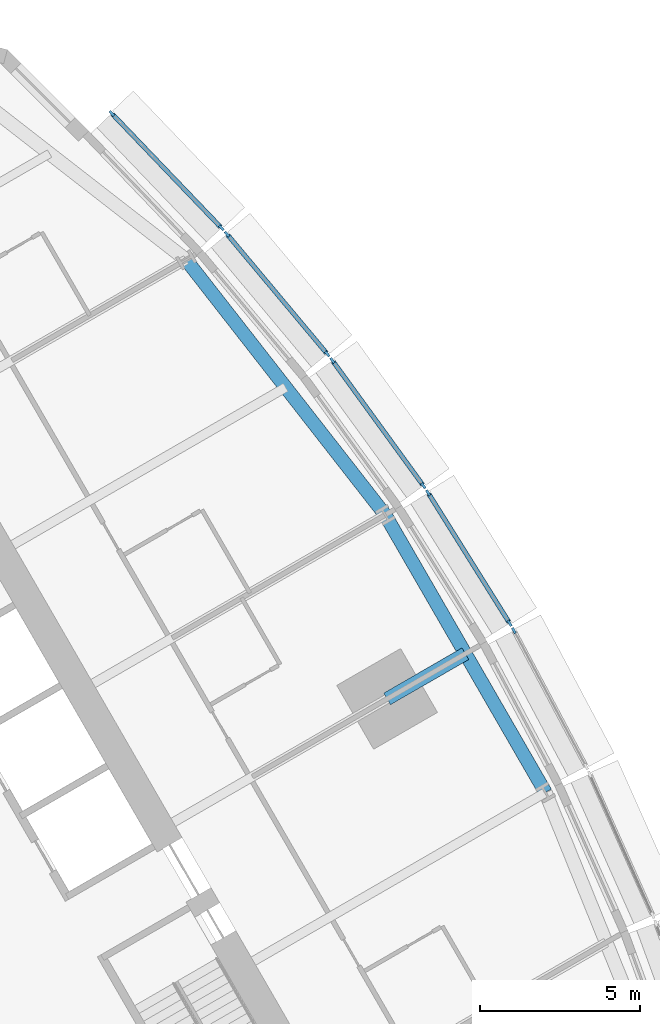
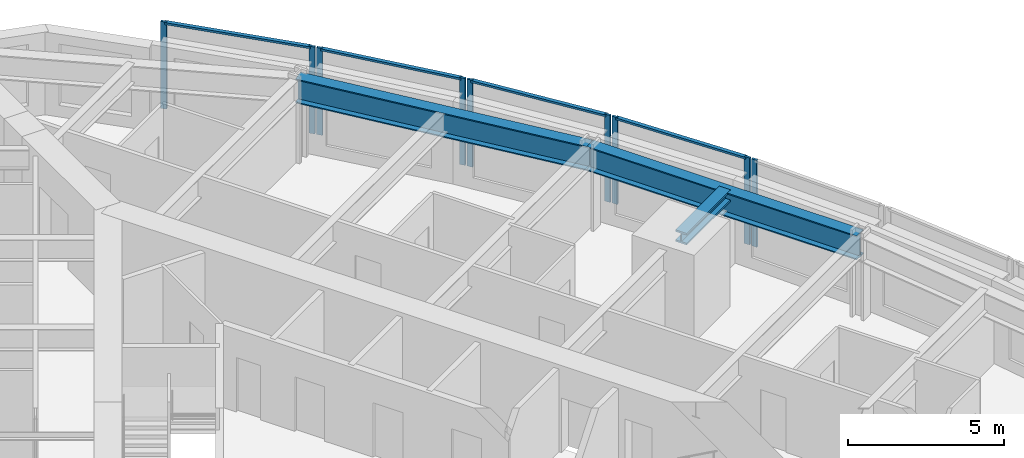
# One storey, part 5 of 14: 13 members, 3 beams, 5 elements without a shape of their own.
"""IFC4 building model written with IfcOpenShell, lengths in metres."""

from ifc_helpers import new_model, si_unit, direction, frame, origin, origin_2d, place, context, subcontext, project, spatial, rectangle, i_section, extrude, material, material_profile, profile_set, type_object, element, aggregate, save


model = new_model("IFC4")

# Units and contexts
model_context = context("Model", 3, precision=1e-05, world=origin(), true_north=direction((0.0, 1.0)))
body_context = subcontext(model_context, "Body", "Model", "MODEL_VIEW")
ifc_project = project(units=[si_unit("LENGTHUNIT", "METRE"), si_unit("AREAUNIT", "SQUARE_METRE"), si_unit("VOLUMEUNIT", "CUBIC_METRE"), si_unit("PLANEANGLEUNIT", "RADIAN"), si_unit("MASSUNIT", "GRAM", prefix="KILO")], contexts=[model_context])

# Site, building, storey
site_placement = place(None, origin())
site = spatial("IfcSite", under=ifc_project, at=site_placement, CompositionType="ELEMENT")
building_placement = place(site_placement, origin())
building = spatial("IfcBuilding", under=site, at=building_placement, Name="Trikona Tower", CompositionType="ELEMENT")
storey_placement = place(building_placement, frame((0.0, 0.0, 131.699951171875)))
storey = spatial("IfcBuildingStorey", under=building, at=storey_placement, Name="L34", CompositionType="ELEMENT", Elevation=131.699951171875)

# Curtain wall, member
ifc_material_1 = material(Name="Aluminium curtain wall system", Category="aluminium")
curtain_wall_type = type_object("IfcCurtainWallType", Name="Curtain wall DS2", PredefinedType="NOTDEFINED", material=ifc_material_1)
curtain_wall_1_placement = place(storey_placement, origin())
curtain_wall_1 = element("IfcCurtainWall", 1, at=curtain_wall_1_placement, inside=storey, type_object=curtain_wall_type, Name="Curtain wall DS2 L34", PredefinedType="NOTDEFINED")
ifc_material_2 = material(Name="Aluminium mullion, pale anodised", Category="aluminium")
ifc_material_profile_1 = material_profile(ifc_material_2, rectangle(XDim=0.080078125, YDim=0.199951171875, at=origin_2d()), Name="MUL-DS2")
ifc_profile_set_1 = profile_set([ifc_material_profile_1], Name="Aluminium mullion, pale anodised")
member_type_1 = type_object("IfcMemberType", Name="Mullion DS2 80x200", PredefinedType="MULLION", material=ifc_profile_set_1)
member_1_placement = place(storey_placement, frame((19.2666015625, 10.9716796875, 0.0), z_axis=(0.0, 0.0, 1.0), x_axis=(-0.882996107343, -0.469380308937, 0.0)))
member_1 = element("IfcMember", 2, at=member_1_placement, type_object=member_type_1, Name="CW-DS2 mullion 2", PredefinedType="MULLION", context=body_context, shape_type="SweptSolid", body=[
    extrude(rectangle(XDim=0.080078125, YDim=0.199951171875, at=origin_2d()), origin(), (0.0, 0.0, 1.0), 3.400146484375),
])
aggregate(curtain_wall_1, [member_1])

# Curtain wall, members
curtain_wall_2_placement = place(storey_placement, origin())
curtain_wall_2 = element("IfcCurtainWall", 3, at=curtain_wall_2_placement, inside=storey, type_object=curtain_wall_type, Name="Curtain wall DS2 L34", PredefinedType="NOTDEFINED")
member_2_placement = place(storey_placement, frame((19.135009765625, 11.199462890625, 0.0), z_axis=(0.0, 0.0, 1.0), x_axis=(-0.847998304006, -0.529998940002, 0.0)))
member_2 = element("IfcMember", 4, at=member_2_placement, type_object=member_type_1, Name="CW-DS2 mullion 1", PredefinedType="MULLION", context=body_context, shape_type="SweptSolid", body=[
    extrude(rectangle(XDim=0.080078125, YDim=0.199951171875, at=origin_2d()), origin(), (0.0, 0.0, 1.0), 3.400146484375),
])
member_3_placement = place(storey_placement, frame((16.589599609375, 15.2724609375, 0.0), z_axis=(0.0, 0.0, 1.0), x_axis=(-0.847998304006, -0.529998940002, 0.0)))
member_3 = element("IfcMember", 5, at=member_3_placement, type_object=member_type_1, Name="CW-DS2 mullion 2", PredefinedType="MULLION", context=body_context, shape_type="SweptSolid", body=[
    extrude(rectangle(XDim=0.080078125, YDim=0.199951171875, at=origin_2d()), origin(), (0.0, 0.0, 1.0), 3.400146484375),
])

curtain_wall_3_placement = place(storey_placement, origin())
curtain_wall_3 = element("IfcCurtainWall", 6, at=curtain_wall_3_placement, inside=storey, type_object=curtain_wall_type, Name="Curtain wall DS2 L34", PredefinedType="NOTDEFINED")
member_4_placement = place(storey_placement, frame((16.442626953125, 15.489990234375, 0.0), z_axis=(0.0, 0.0, 1.0), x_axis=(-0.80908576332, -0.587690588313, 0.0)))
member_4 = element("IfcMember", 7, at=member_4_placement, type_object=member_type_1, Name="CW-DS2 mullion 1", PredefinedType="MULLION", context=body_context, shape_type="SweptSolid", body=[
    extrude(rectangle(XDim=0.080078125, YDim=0.199951171875, at=origin_2d()), origin(), (0.0, 0.0, 1.0), 3.400146484375),
])
member_5_placement = place(storey_placement, frame((13.605712890625, 19.39599609375, 0.0), z_axis=(0.0, 0.0, 1.0), x_axis=(-0.80908576332, -0.587690588313, 0.0)))
member_5 = element("IfcMember", 8, at=member_5_placement, type_object=member_type_1, Name="CW-DS2 mullion 2", PredefinedType="MULLION", context=body_context, shape_type="SweptSolid", body=[
    extrude(rectangle(XDim=0.080078125, YDim=0.199951171875, at=origin_2d()), origin(), (0.0, 0.0, 1.0), 3.400146484375),
])

curtain_wall_4_placement = place(storey_placement, origin())
curtain_wall_4 = element("IfcCurtainWall", 9, at=curtain_wall_4_placement, inside=storey, type_object=curtain_wall_type, Name="Curtain wall DS2 L34", PredefinedType="NOTDEFINED")
member_6_placement = place(storey_placement, frame((13.44482421875, 19.602294921875, 0.0), z_axis=(0.0, 0.0, 1.0), x_axis=(-0.766866678271, -0.641806433248, 0.0)))
member_6 = element("IfcMember", 10, at=member_6_placement, type_object=member_type_1, Name="CW-DS2 mullion 1", PredefinedType="MULLION", context=body_context, shape_type="SweptSolid", body=[
    extrude(rectangle(XDim=0.080078125, YDim=0.199951171875, at=origin_2d()), origin(), (0.0, 0.0, 1.0), 3.400146484375),
])
member_7_placement = place(storey_placement, frame((10.315185546875, 23.34130859375, 0.0), z_axis=(0.0, 0.0, 1.0), x_axis=(-0.766866678271, -0.641806433248, 0.0)))
member_7 = element("IfcMember", 11, at=member_7_placement, type_object=member_type_1, Name="CW-DS2 mullion 2", PredefinedType="MULLION", context=body_context, shape_type="SweptSolid", body=[
    extrude(rectangle(XDim=0.080078125, YDim=0.199951171875, at=origin_2d()), origin(), (0.0, 0.0, 1.0), 3.400146484375),
])

curtain_wall_5_placement = place(storey_placement, origin())
curtain_wall_5 = element("IfcCurtainWall", 12, at=curtain_wall_5_placement, inside=storey, type_object=curtain_wall_type, Name="Curtain wall DS2 L34", PredefinedType="NOTDEFINED")
member_8_placement = place(storey_placement, frame((10.1416015625, 23.535400390625, 0.0), z_axis=(0.0, 0.0, 1.0), x_axis=(-0.722158330767, -0.691727797117, 0.0)))
member_8 = element("IfcMember", 13, at=member_8_placement, type_object=member_type_1, Name="CW-DS2 mullion 1", PredefinedType="MULLION", context=body_context, shape_type="SweptSolid", body=[
    extrude(rectangle(XDim=0.080078125, YDim=0.199951171875, at=origin_2d()), origin(), (0.0, 0.0, 1.0), 3.400146484375),
])
member_9_placement = place(storey_placement, frame((6.718994140625, 27.1083984375, 0.0), z_axis=(0.0, 0.0, 1.0), x_axis=(-0.722158330767, -0.691727797117, 0.0)))
member_9 = element("IfcMember", 14, at=member_9_placement, type_object=member_type_1, Name="CW-DS2 mullion 2", PredefinedType="MULLION", context=body_context, shape_type="SweptSolid", body=[
    extrude(rectangle(XDim=0.080078125, YDim=0.199951171875, at=origin_2d()), origin(), (0.0, 0.0, 1.0), 3.400146484375),
])

# Beams
ifc_material_3 = material(Name="Steel ASTM A992 Grade 50", Category="steel")
ifc_material_profile_2 = material_profile(ifc_material_3, i_section(OverallWidth=0.419189453125, OverallDepth=0.45458984375, WebThickness=0.042236328125, FlangeThickness=0.067626953125, at=origin_2d()), Name="W14X370")
ifc_profile_set_2 = profile_set([ifc_material_profile_2], Name="Steel ASTM A992 Grade 50")
beam_type_1 = type_object("IfcBeamType", Name="Steel beam W14x370 (apex bracket)", PredefinedType="BEAM", material=ifc_profile_set_2)
beam_1_placement = place(storey_placement, frame((15.311767578125, 8.84033203125, 3.0078125), z_axis=(0.86605005072, 0.499957307824, 0.0), x_axis=(-0.499957307824, 0.86605005072, 0.0)))
element("IfcBeam", 15, at=beam_1_placement, inside=storey, type_object=beam_type_1, Name="Cantilever bracket L35 F2", PredefinedType="BEAM", context=body_context, shape_type="SweptSolid", body=[
    extrude(i_section(OverallWidth=0.419189453125, OverallDepth=0.45458984375, WebThickness=0.042236328125, FlangeThickness=0.067626953125, at=origin_2d()), origin(), (0.0, 0.0, 1.0), 2.819580078125),
])
ifc_material_4 = material(Name="Steel ASTM A992 Grade 50", Category="steel")
ifc_material_profile_3 = material_profile(ifc_material_4, i_section(OverallWidth=0.424072265625, OverallDepth=0.947509765625, WebThickness=0.02392578125, FlangeThickness=0.042724609375, at=origin_2d()), Name="W36X302")
ifc_profile_set_3 = profile_set([ifc_material_profile_3], Name="Steel ASTM A992 Grade 50")
beam_type_2 = type_object("IfcBeamType", Name="Steel beam W36x302 (spandrel)", PredefinedType="SPANDREL", material=ifc_profile_set_3)
beam_2_placement = place(storey_placement, frame((20.253662109375, 5.919921875, 2.76123046875), z_axis=(-0.500004234368, 0.866022959057, 0.0), x_axis=(-0.866022959057, -0.500004234368, 0.0)))
element("IfcBeam", 16, at=beam_2_placement, inside=storey, type_object=beam_type_2, Name="Spandrel beam L35 F2-3", PredefinedType="SPANDREL", context=body_context, shape_type="SweptSolid", body=[
    extrude(i_section(OverallWidth=0.424072265625, OverallDepth=0.947509765625, WebThickness=0.02392578125, FlangeThickness=0.042724609375, at=origin_2d()), origin(), (0.0, 0.0, 1.0), 10.0),
])
beam_3_placement = place(storey_placement, frame((15.253662109375, 14.580078125, 2.76123046875), z_axis=(-0.615232009054, 0.788346101046, 0.0), x_axis=(-0.788346101046, -0.615232009054, 0.0)))
element("IfcBeam", 17, at=beam_3_placement, inside=storey, type_object=beam_type_2, Name="Spandrel beam L35 F2-4", PredefinedType="SPANDREL", context=body_context, shape_type="SweptSolid", body=[
    extrude(i_section(OverallWidth=0.424072265625, OverallDepth=0.947509765625, WebThickness=0.02392578125, FlangeThickness=0.042724609375, at=origin_2d()), origin(), (0.0, 0.0, 1.0), 10.09765625),
])

# Member
ifc_material_5 = material(Name="Aluminium transom, pale anodised", Category="aluminium")
ifc_material_profile_4 = material_profile(ifc_material_5, rectangle(XDim=0.139892578125, YDim=0.080078125, at=origin_2d()), Name="TRN-DS2")
ifc_profile_set_4 = profile_set([ifc_material_profile_4], Name="Aluminium transom, pale anodised")
member_type_2 = type_object("IfcMemberType", Name="Transom DS2 80x140", PredefinedType="USERDEFINED", material=ifc_profile_set_4)
member_10_placement = place(storey_placement, frame((19.114013671875, 11.2333984375, 3.360107421875), z_axis=(-0.530031463794, 0.847977975769, 0.0), x_axis=(-0.847977975769, -0.530031463794, 0.0)))
member_10 = element("IfcMember", 18, at=member_10_placement, type_object=member_type_2, Name="CW-DS2 transom 1.1", ObjectType="TRANSOM", PredefinedType="USERDEFINED", context=body_context, shape_type="SweptSolid", body=[
    extrude(rectangle(XDim=0.139892578125, YDim=0.080078125, at=origin_2d()), origin(), (0.0, 0.0, 1.0), 4.72314453125),
])

aggregate(curtain_wall_2, [member_2, member_3, member_10])

member_11_placement = place(storey_placement, frame((16.419189453125, 15.5224609375, 3.360107421875), z_axis=(-0.587694585883, 0.809082859616, 0.0), x_axis=(-0.809082859616, -0.587694585883, 0.0)))
member_11 = element("IfcMember", 19, at=member_11_placement, type_object=member_type_2, Name="CW-DS2 transom 1.1", ObjectType="TRANSOM", PredefinedType="USERDEFINED", context=body_context, shape_type="SweptSolid", body=[
    extrude(rectangle(XDim=0.139892578125, YDim=0.080078125, at=origin_2d()), origin(), (0.0, 0.0, 1.0), 4.747314453125),
])

aggregate(curtain_wall_3, [member_4, member_5, member_11])

member_12_placement = place(storey_placement, frame((13.4189453125, 19.6328125, 3.360107421875), z_axis=(-0.641770294892, 0.766896921753, 0.0), x_axis=(-0.766896921753, -0.641770294892, 0.0)))
member_12 = element("IfcMember", 20, at=member_12_placement, type_object=member_type_2, Name="CW-DS2 transom 1.1", ObjectType="TRANSOM", PredefinedType="USERDEFINED", context=body_context, shape_type="SweptSolid", body=[
    extrude(rectangle(XDim=0.139892578125, YDim=0.080078125, at=origin_2d()), origin(), (0.0, 0.0, 1.0), 4.7958984375),
])

aggregate(curtain_wall_4, [member_6, member_7, member_12])

member_13_placement = place(storey_placement, frame((10.114013671875, 23.564208984375, 3.360107421875), z_axis=(-0.691721246785, 0.722164605022, 0.0), x_axis=(-0.722164605022, -0.691721246785, 0.0)))
member_13 = element("IfcMember", 21, at=member_13_placement, type_object=member_type_2, Name="CW-DS2 transom 1.1", ObjectType="TRANSOM", PredefinedType="USERDEFINED", context=body_context, shape_type="SweptSolid", body=[
    extrude(rectangle(XDim=0.139892578125, YDim=0.080078125, at=origin_2d()), origin(), (0.0, 0.0, 1.0), 4.867919921875),
])

aggregate(curtain_wall_5, [member_8, member_9, member_13])

save(model, "model.ifc")
